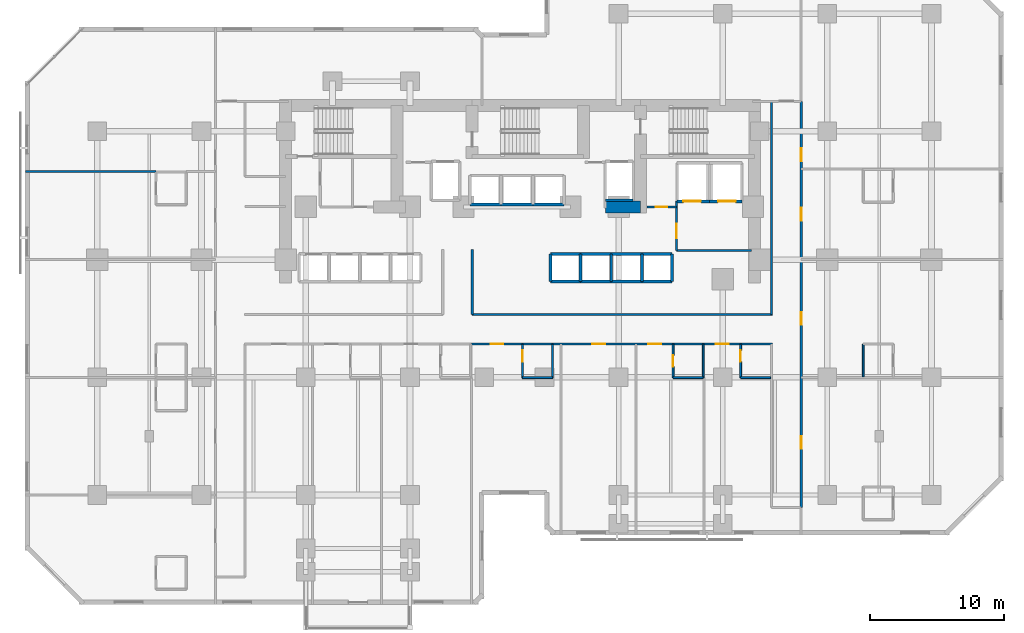
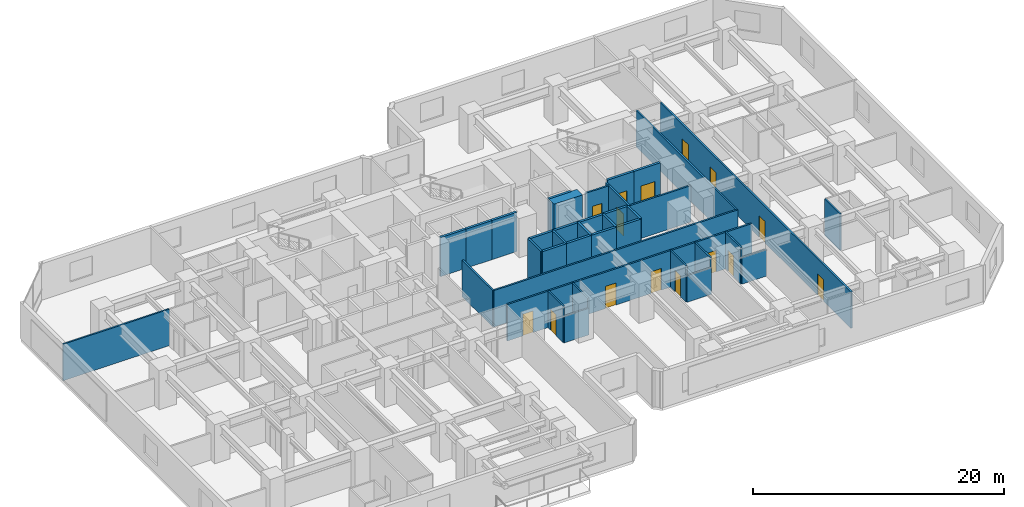
# One storey, part 7 of 12: 38 walls, 15 doors, 15 openings.
"""IFC4 building model written with IfcOpenShell, lengths in metres."""

from ifc_helpers import new_model, si_unit, direction, frame, frame_2d, origin, place, context, subcontext, project, spatial, rectangle, extrude, material, layer, layer_set, type_object, element, fill, save


model = new_model("IFC4")

# Units and contexts
model_context = context("Model", 3, precision=1e-05, world=origin(), true_north=direction((0.0, 1.0)))
body_context = subcontext(model_context, "Body", "Model", "MODEL_VIEW")
ifc_project = project(units=[si_unit("LENGTHUNIT", "METRE"), si_unit("AREAUNIT", "SQUARE_METRE"), si_unit("VOLUMEUNIT", "CUBIC_METRE"), si_unit("PLANEANGLEUNIT", "RADIAN"), si_unit("MASSUNIT", "GRAM", prefix="KILO")], contexts=[model_context])

# Site, building, storey
site_placement = place(None, origin())
site = spatial("IfcSite", under=ifc_project, at=site_placement, CompositionType="ELEMENT")
building_placement = place(site_placement, origin())
building = spatial("IfcBuilding", under=site, at=building_placement, Name="Kestravale Grand Hotel", CompositionType="ELEMENT")
storey_placement = place(building_placement, frame((0.0, 0.0, 33.60009765625)))
storey = spatial("IfcBuildingStorey", under=building, at=storey_placement, Name="L07", CompositionType="ELEMENT", Elevation=33.60009765625)

# Wall
ifc_material_1 = material(Name="Concrete f'c 70 MPa", Category="concrete")
ifc_layer_1 = layer(ifc_material_1, 0.89990234375)
ifc_layer_set_1 = layer_set([ifc_layer_1], Name="EW-CORE-900")
wall_type_1 = type_object("IfcWallType", Name="EW-CORE-900", PredefinedType="SHEAR", material=ifc_layer_set_1)
wall_1_placement = place(storey_placement, frame((45.81005859375, 32.75, 0.0), z_axis=(0.0, 0.0, 1.0), x_axis=(1.0, 0.0, 0.0)))
element("IfcWall", 1, at=wall_1_placement, inside=storey, type_object=wall_type_1, Name="L07 core shear wall S2", PredefinedType="SHEAR", context=body_context, shape_type="SweptSolid", body=[
    extrude(rectangle(XDim=2.639892578125, YDim=0.89990234375, at=frame_2d((1.31982421875, 0.0))), origin(), (0.0, 0.0, 1.0), 3.7998046875),
])

# Wall, opening, door
ifc_material_2 = material(Name="Acoustic fire-rated gypsum board partition", Category="other")
ifc_layer_2 = layer(ifc_material_2, 0.159912109375)
ifc_layer_set_2 = layer_set([ifc_layer_2], Name="IW-CORR-160")
wall_type_2 = type_object("IfcWallType", Name="IW-CORR-160", PredefinedType="PARTITIONING", material=ifc_layer_set_2)
wall_2_placement = place(storey_placement, frame((51.1201171875, 29.5, 0.0), z_axis=(0.0, 0.0, 1.0), x_axis=(0.0, 1.0, 0.0)))
wall_2 = element("IfcWall", 2, at=wall_2_placement, inside=storey, type_object=wall_type_2, Name="W-L07-SVCLOB-W", PredefinedType="PARTITIONING", context=body_context, shape_type="SweptSolid", body=[
    extrude(rectangle(XDim=3.699951171875, YDim=0.159912109375, at=frame_2d((1.85009765625, 0.0))), origin(), (0.0, 0.0, 1.0), 3.539794921875),
])
opening_1_placement = place(wall_2_placement, frame((0.89990234375, 0.0, 0.0)))
opening_1 = element("IfcOpeningElement", 3, at=opening_1_placement, cuts=wall_2, Name="Opening D-CORR-1100", PredefinedType="OPENING", context=body_context, shape_type="SweptSolid", body=[
    extrude(rectangle(XDim=1.10009765625, YDim=2.14990234375, at=frame_2d((0.550048828125, 1.074951171875))), frame((0.0, 0.08984375, 0.0), z_axis=(0.0, -1.0, 0.0), x_axis=(1.0, 0.0, 0.0)), (0.0, 0.0, 1.0), 0.179931640625),
])
ifc_material_3 = material(Name="Single-leaf service vestibule fire door", Category="steel")
door_type_1 = type_object("IfcDoorType", Name="D-CORR-1100", OperationType="NOTDEFINED", PredefinedType="DOOR", material=ifc_material_3)
door_1_placement = place(opening_1_placement, origin())
door_1 = element("IfcDoor", 4, at=door_1_placement, inside=storey, type_object=door_type_1, Name="L07 service lift lobby door", OperationType="SINGLE_SWING_LEFT", OverallHeight=2.14990234375, OverallWidth=1.10009765625, PredefinedType="DOOR", context=body_context, shape_type="SweptSolid", body=[
    extrude(rectangle(XDim=1.10009765625, YDim=2.14990234375, at=frame_2d((0.550048828125, 1.074951171875))), frame((0.0, 0.02490234375, 0.0), z_axis=(0.0, -1.0, 0.0), x_axis=(1.0, 0.0, 0.0)), (0.0, 0.0, 1.0), 0.050048828125),
])
fill(opening_1, door_1)

# Wall
wall_3_placement = place(storey_placement, frame((51.1201171875, 29.5, 0.0), z_axis=(0.0, 0.0, 1.0), x_axis=(1.0, 0.0, 0.0)))
element("IfcWall", 5, at=wall_3_placement, inside=storey, type_object=wall_type_2, Name="L07 service lift lobby wall", PredefinedType="PARTITIONING", context=body_context, shape_type="SweptSolid", body=[
    extrude(rectangle(XDim=5.6298828125, YDim=0.159912109375, at=frame_2d((2.81494140625, 0.0))), origin(), (0.0, 0.0, 1.0), 3.539794921875),
])

# Wall, opening, door
wall_4_placement = place(storey_placement, frame((48.919921875, 32.75, 0.0), z_axis=(0.0, 0.0, 1.0), x_axis=(1.0, 0.0, 0.0)))
wall_4 = element("IfcWall", 6, at=wall_4_placement, inside=storey, type_object=wall_type_2, Name="W-L07-CES", PredefinedType="PARTITIONING", context=body_context, shape_type="SweptSolid", body=[
    extrude(rectangle(XDim=2.2001953125, YDim=0.159912109375, at=frame_2d((1.10009765625, 0.0))), origin(), (0.0, 0.0, 1.0), 3.539794921875),
])
opening_2_placement = place(wall_4_placement, frame((0.64990234375, 0.0, 0.0)))
opening_2 = element("IfcOpeningElement", 7, at=opening_2_placement, cuts=wall_4, Name="Opening D-SH-860", PredefinedType="OPENING", context=body_context, shape_type="SweptSolid", body=[
    extrude(rectangle(XDim=0.860107421875, YDim=2.050048828125, at=frame_2d((0.43017578125, 1.02490234375))), frame((0.0, 0.08984375, 0.0), z_axis=(0.0, -1.0, 0.0), x_axis=(1.0, 0.0, 0.0)), (0.0, 0.0, 1.0), 0.179931640625),
])
ifc_material_4 = material(Name="Galvanised 90-minute riser fire door", Category="steel")
door_type_2 = type_object("IfcDoorType", Name="D-SH-860", OperationType="NOTDEFINED", PredefinedType="DOOR", material=ifc_material_4)
door_2_placement = place(opening_2_placement, origin())
door_2 = element("IfcDoor", 8, at=door_2_placement, inside=storey, type_object=door_type_2, Name="L07 CSTO1 door", OperationType="SINGLE_SWING_RIGHT", OverallHeight=2.050048828125, OverallWidth=0.860107421875, PredefinedType="DOOR", context=body_context, shape_type="SweptSolid", body=[
    extrude(rectangle(XDim=0.860107421875, YDim=2.050048828125, at=frame_2d((0.43017578125, 1.02490234375))), frame((0.0, 0.02490234375, 0.0), z_axis=(0.0, -1.0, 0.0), x_axis=(1.0, 0.0, 0.0)), (0.0, 0.0, 1.0), 0.050048828125),
])
fill(opening_2, door_2)

# Walls
wall_5_placement = place(storey_placement, frame((35.85009765625, 24.7099609375, 0.0), z_axis=(0.0, 0.0, 1.0), x_axis=(1.0, 0.0, 0.0)))
element("IfcWall", 9, at=wall_5_placement, inside=storey, type_object=wall_type_2, Name="W-L07-CE-N", PredefinedType="PARTITIONING", context=body_context, shape_type="SweptSolid", body=[
    extrude(rectangle(XDim=22.449951171875, YDim=0.159912109375, at=frame_2d((11.22509765625, 0.0))), origin(), (0.0, 0.0, 1.0), 3.539794921875),
])
wall_6_placement = place(storey_placement, frame((35.85009765625, 24.7099609375, 0.0), z_axis=(0.0, 0.0, 1.0), x_axis=(0.0, 1.0, 0.0)))
element("IfcWall", 10, at=wall_6_placement, inside=storey, type_object=wall_type_2, Name="W-L07-TRUNK-E", PredefinedType="PARTITIONING", context=body_context, shape_type="SweptSolid", body=[
    extrude(rectangle(XDim=4.840087890625, YDim=0.159912109375, at=frame_2d((2.419921875, 0.0))), origin(), (0.0, 0.0, 1.0), 3.539794921875),
])

# Wall, openings, doors
wall_7_placement = place(storey_placement, frame((35.800048828125, 22.489990234375, 0.0), z_axis=(0.0, 0.0, 1.0), x_axis=(1.0, 0.0, 0.0)))
wall_7 = element("IfcWall", 11, at=wall_7_placement, inside=storey, type_object=wall_type_2, Name="W-L07-CE-S", PredefinedType="PARTITIONING", context=body_context, shape_type="SweptSolid", body=[
    extrude(rectangle(XDim=22.5, YDim=0.159912109375, at=frame_2d((11.25, 0.0))), origin(), (0.0, 0.0, 1.0), 3.539794921875),
])
opening_3_placement = place(wall_7_placement, frame((1.429931640625, 0.0, 0.0)))
opening_3 = element("IfcOpeningElement", 12, at=opening_3_placement, cuts=wall_7, Name="Opening D-GUEST-950", PredefinedType="OPENING", context=body_context, shape_type="SweptSolid", body=[
    extrude(rectangle(XDim=0.949951171875, YDim=2.10009765625, at=frame_2d((0.47509765625, 1.050048828125))), frame((0.0, 0.08984375, 0.0), z_axis=(0.0, -1.0, 0.0), x_axis=(1.0, 0.0, 0.0)), (0.0, 0.0, 1.0), 0.179931640625),
])
opening_4_placement = place(wall_7_placement, frame((9.014892578125, 0.0, 0.0)))
opening_4 = element("IfcOpeningElement", 13, at=opening_4_placement, cuts=wall_7, Name="Opening D-GUEST-1000", PredefinedType="OPENING", context=body_context, shape_type="SweptSolid", body=[
    extrude(rectangle(XDim=1.0, YDim=2.14990234375, at=frame_2d((0.5, 1.074951171875))), frame((0.0, 0.08984375, 0.0), z_axis=(0.0, -1.0, 0.0), x_axis=(1.0, 0.0, 0.0)), (0.0, 0.0, 1.0), 0.179931640625),
])
opening_5_placement = place(wall_7_placement, frame((13.22509765625, 0.0, 0.0)))
opening_5 = element("IfcOpeningElement", 14, at=opening_5_placement, cuts=wall_7, Name="Opening D-GUEST-950", PredefinedType="OPENING", context=body_context, shape_type="SweptSolid", body=[
    extrude(rectangle(XDim=0.949951171875, YDim=2.10009765625, at=frame_2d((0.47509765625, 1.050048828125))), frame((0.0, 0.08984375, 0.0), z_axis=(0.0, -1.0, 0.0), x_axis=(1.0, 0.0, 0.0)), (0.0, 0.0, 1.0), 0.179931640625),
])
opening_6_placement = place(wall_7_placement, frame((18.284912109375, 0.0, 0.0)))
opening_6 = element("IfcOpeningElement", 15, at=opening_6_placement, cuts=wall_7, Name="Opening D-GUEST-950", PredefinedType="OPENING", context=body_context, shape_type="SweptSolid", body=[
    extrude(rectangle(XDim=0.949951171875, YDim=2.10009765625, at=frame_2d((0.47509765625, 1.050048828125))), frame((0.0, 0.08984375, 0.0), z_axis=(0.0, -1.0, 0.0), x_axis=(1.0, 0.0, 0.0)), (0.0, 0.0, 1.0), 0.179931640625),
])
ifc_material_5 = material(Name="Accessible walnut veneer hotel entrance fire door", Category="wood")
door_type_3 = type_object("IfcDoorType", Name="D-GUEST-1000", OperationType="NOTDEFINED", PredefinedType="DOOR", material=ifc_material_5)
door_3_placement = place(opening_4_placement, origin())
door_3 = element("IfcDoor", 16, at=door_3_placement, inside=storey, type_object=door_type_3, Name="D-L07-AME", OperationType="SINGLE_SWING_RIGHT", OverallHeight=2.14990234375, OverallWidth=1.0, PredefinedType="DOOR", context=body_context, shape_type="SweptSolid", body=[
    extrude(rectangle(XDim=1.0, YDim=2.14990234375, at=frame_2d((0.5, 1.074951171875))), frame((0.0, 0.02490234375, 0.0), z_axis=(0.0, -1.0, 0.0), x_axis=(1.0, 0.0, 0.0)), (0.0, 0.0, 1.0), 0.050048828125),
])
fill(opening_4, door_3)
ifc_material_6 = material(Name="Walnut veneer hotel guestroom entrance fire door", Category="wood")
door_type_4 = type_object("IfcDoorType", Name="D-GUEST-950", OperationType="NOTDEFINED", PredefinedType="DOOR", material=ifc_material_6)
door_4_placement = place(opening_3_placement, origin())
door_4 = element("IfcDoor", 17, at=door_4_placement, inside=storey, type_object=door_type_4, Name="D-L07-U03-ENT", OperationType="SINGLE_SWING_LEFT", OverallHeight=2.10009765625, OverallWidth=0.949951171875, PredefinedType="DOOR", context=body_context, shape_type="SweptSolid", body=[
    extrude(rectangle(XDim=0.949951171875, YDim=2.10009765625, at=frame_2d((0.47509765625, 1.050048828125))), frame((0.0, 0.02490234375, 0.0), z_axis=(0.0, -1.0, 0.0), x_axis=(1.0, 0.0, 0.0)), (0.0, 0.0, 1.0), 0.050048828125),
])
fill(opening_3, door_4)
door_5_placement = place(opening_5_placement, origin())
door_5 = element("IfcDoor", 18, at=door_5_placement, inside=storey, type_object=door_type_4, Name="D-L07-U04-ENT", OperationType="SINGLE_SWING_RIGHT", OverallHeight=2.10009765625, OverallWidth=0.949951171875, PredefinedType="DOOR", context=body_context, shape_type="SweptSolid", body=[
    extrude(rectangle(XDim=0.949951171875, YDim=2.10009765625, at=frame_2d((0.47509765625, 1.050048828125))), frame((0.0, 0.02490234375, 0.0), z_axis=(0.0, -1.0, 0.0), x_axis=(1.0, 0.0, 0.0)), (0.0, 0.0, 1.0), 0.050048828125),
])
fill(opening_5, door_5)
door_6_placement = place(opening_6_placement, origin())
door_6 = element("IfcDoor", 19, at=door_6_placement, inside=storey, type_object=door_type_4, Name="D-L07-U05-ENT", OperationType="SINGLE_SWING_RIGHT", OverallHeight=2.10009765625, OverallWidth=0.949951171875, PredefinedType="DOOR", context=body_context, shape_type="SweptSolid", body=[
    extrude(rectangle(XDim=0.949951171875, YDim=2.10009765625, at=frame_2d((0.47509765625, 1.050048828125))), frame((0.0, 0.02490234375, 0.0), z_axis=(0.0, -1.0, 0.0), x_axis=(1.0, 0.0, 0.0)), (0.0, 0.0, 1.0), 0.050048828125),
])
fill(opening_6, door_6)

wall_8_placement = place(storey_placement, frame((60.4599609375, 10.25, 0.0), z_axis=(0.0, 0.0, 1.0), x_axis=(0.0, 1.0, 0.0)))
wall_8 = element("IfcWall", 20, at=wall_8_placement, inside=storey, type_object=wall_type_2, Name="W-L07-SE-E", PredefinedType="PARTITIONING", context=body_context, shape_type="SweptSolid", body=[
    extrude(rectangle(XDim=30.39990234375, YDim=0.159912109375, at=frame_2d((15.199951171875, 0.0))), origin(), (0.0, 0.0, 1.0), 3.539794921875),
])
opening_7_placement = place(wall_8_placement, frame((4.39990234375, 0.0, 0.0)))
opening_7 = element("IfcOpeningElement", 21, at=opening_7_placement, cuts=wall_8, Name="Opening D-GUEST-950", PredefinedType="OPENING", context=body_context, shape_type="SweptSolid", body=[
    extrude(rectangle(XDim=0.949951171875, YDim=2.10009765625, at=frame_2d((0.47509765625, 1.050048828125))), frame((0.0, 0.08984375, 0.0), z_axis=(0.0, -1.0, 0.0), x_axis=(1.0, 0.0, 0.0)), (0.0, 0.0, 1.0), 0.179931640625),
])
opening_8_placement = place(wall_8_placement, frame((13.675048828125, 0.0, 0.0)))
opening_8 = element("IfcOpeningElement", 22, at=opening_8_placement, cuts=wall_8, Name="Opening D-GUEST-950", PredefinedType="OPENING", context=body_context, shape_type="SweptSolid", body=[
    extrude(rectangle(XDim=0.949951171875, YDim=2.10009765625, at=frame_2d((0.47509765625, 1.050048828125))), frame((0.0, 0.08984375, 0.0), z_axis=(0.0, -1.0, 0.0), x_axis=(1.0, 0.0, 0.0)), (0.0, 0.0, 1.0), 0.179931640625),
])
opening_9_placement = place(wall_8_placement, frame((21.47509765625, 0.0, 0.0)))
opening_9 = element("IfcOpeningElement", 23, at=opening_9_placement, cuts=wall_8, Name="Opening D-GUEST-950", PredefinedType="OPENING", context=body_context, shape_type="SweptSolid", body=[
    extrude(rectangle(XDim=0.949951171875, YDim=2.10009765625, at=frame_2d((0.47509765625, 1.050048828125))), frame((0.0, 0.08984375, 0.0), z_axis=(0.0, -1.0, 0.0), x_axis=(1.0, 0.0, 0.0)), (0.0, 0.0, 1.0), 0.179931640625),
])
opening_10_placement = place(wall_8_placement, frame((25.89990234375, 0.0, 0.0)))
opening_10 = element("IfcOpeningElement", 24, at=opening_10_placement, cuts=wall_8, Name="Opening D-GUEST-1000", PredefinedType="OPENING", context=body_context, shape_type="SweptSolid", body=[
    extrude(rectangle(XDim=1.0, YDim=2.14990234375, at=frame_2d((0.5, 1.074951171875))), frame((0.0, 0.08984375, 0.0), z_axis=(0.0, -1.0, 0.0), x_axis=(1.0, 0.0, 0.0)), (0.0, 0.0, 1.0), 0.179931640625),
])
door_7_placement = place(opening_10_placement, origin())
door_7 = element("IfcDoor", 25, at=door_7_placement, inside=storey, type_object=door_type_3, Name="D-L07-AMEW", OperationType="SINGLE_SWING_RIGHT", OverallHeight=2.14990234375, OverallWidth=1.0, PredefinedType="DOOR", context=body_context, shape_type="SweptSolid", body=[
    extrude(rectangle(XDim=1.0, YDim=2.14990234375, at=frame_2d((0.5, 1.074951171875))), frame((0.0, 0.02490234375, 0.0), z_axis=(0.0, -1.0, 0.0), x_axis=(1.0, 0.0, 0.0)), (0.0, 0.0, 1.0), 0.050048828125),
])
fill(opening_10, door_7)
door_8_placement = place(opening_7_placement, origin())
door_8 = element("IfcDoor", 26, at=door_8_placement, inside=storey, type_object=door_type_4, Name="D-L07-U10-ENT", OperationType="SINGLE_SWING_LEFT", OverallHeight=2.10009765625, OverallWidth=0.949951171875, PredefinedType="DOOR", context=body_context, shape_type="SweptSolid", body=[
    extrude(rectangle(XDim=0.949951171875, YDim=2.10009765625, at=frame_2d((0.47509765625, 1.050048828125))), frame((0.0, 0.02490234375, 0.0), z_axis=(0.0, -1.0, 0.0), x_axis=(1.0, 0.0, 0.0)), (0.0, 0.0, 1.0), 0.050048828125),
])
fill(opening_7, door_8)
door_9_placement = place(opening_8_placement, origin())
door_9 = element("IfcDoor", 27, at=door_9_placement, inside=storey, type_object=door_type_4, Name="D-L07-U11-ENT", OperationType="SINGLE_SWING_LEFT", OverallHeight=2.10009765625, OverallWidth=0.949951171875, PredefinedType="DOOR", context=body_context, shape_type="SweptSolid", body=[
    extrude(rectangle(XDim=0.949951171875, YDim=2.10009765625, at=frame_2d((0.47509765625, 1.050048828125))), frame((0.0, 0.02490234375, 0.0), z_axis=(0.0, -1.0, 0.0), x_axis=(1.0, 0.0, 0.0)), (0.0, 0.0, 1.0), 0.050048828125),
])
fill(opening_8, door_9)
door_10_placement = place(opening_9_placement, origin())
door_10 = element("IfcDoor", 28, at=door_10_placement, inside=storey, type_object=door_type_4, Name="D-L07-U12-ENT", OperationType="SINGLE_SWING_LEFT", OverallHeight=2.10009765625, OverallWidth=0.949951171875, PredefinedType="DOOR", context=body_context, shape_type="SweptSolid", body=[
    extrude(rectangle(XDim=0.949951171875, YDim=2.10009765625, at=frame_2d((0.47509765625, 1.050048828125))), frame((0.0, 0.02490234375, 0.0), z_axis=(0.0, -1.0, 0.0), x_axis=(1.0, 0.0, 0.0)), (0.0, 0.0, 1.0), 0.050048828125),
])
fill(opening_9, door_10)

# Wall
wall_9_placement = place(storey_placement, frame((58.239990234375, 24.7099609375, 0.0), z_axis=(0.0, 0.0, 1.0), x_axis=(0.0, 1.0, 0.0)))
element("IfcWall", 29, at=wall_9_placement, inside=storey, type_object=wall_type_2, Name="W-L07-SE-WU", PredefinedType="PARTITIONING", context=body_context, shape_type="SweptSolid", body=[
    extrude(rectangle(XDim=15.93994140625, YDim=0.159912109375, at=frame_2d((7.969970703125, 0.0))), origin(), (0.0, 0.0, 1.0), 3.539794921875),
])

# Wall, opening, door
ifc_material_7 = material(Name="Moisture-resistant tile-backer plumbing chase wall", Category="other")
ifc_layer_3 = layer(ifc_material_7, 0.139892578125)
ifc_layer_set_3 = layer_set([ifc_layer_3], Name="IW-PLB-140")
wall_type_3 = type_object("IfcWallType", Name="IW-PLB-140", PredefinedType="PLUMBINGWALL", material=ifc_layer_set_3)
wall_10_placement = place(storey_placement, frame((39.610107421875, 19.97998046875, 0.0), z_axis=(0.0, 0.0, 1.0), x_axis=(0.0, 1.0, 0.0)))
wall_10 = element("IfcWall", 30, at=wall_10_placement, inside=storey, type_object=wall_type_3, Name="W-L07-U03-BW", PredefinedType="PLUMBINGWALL", context=body_context, shape_type="SweptSolid", body=[
    extrude(rectangle(XDim=2.489990234375, YDim=0.139892578125, at=frame_2d((1.2451171875, 0.0))), origin(), (0.0, 0.0, 1.0), 3.539794921875),
])
opening_11_placement = place(wall_10_placement, frame((1.169921875, 0.0, 0.0)))
opening_11 = element("IfcOpeningElement", 31, at=opening_11_placement, cuts=wall_10, Name="Opening D-BATH-880", PredefinedType="OPENING", context=body_context, shape_type="SweptSolid", body=[
    extrude(rectangle(XDim=0.8798828125, YDim=2.050048828125, at=frame_2d((0.43994140625, 1.02490234375))), frame((0.0, 0.079833984375, 0.0), z_axis=(0.0, -1.0, 0.0), x_axis=(1.0, 0.0, 0.0)), (0.0, 0.0, 1.0), 0.159912109375),
])
ifc_material_8 = material(Name="Moisture-sealed walnut en-suite bathroom door", Category="wood")
door_type_5 = type_object("IfcDoorType", Name="D-BATH-880", OperationType="NOTDEFINED", PredefinedType="DOOR", material=ifc_material_8)
door_11_placement = place(opening_11_placement, origin())
door_11 = element("IfcDoor", 32, at=door_11_placement, inside=storey, type_object=door_type_5, Name="D-L07-U03-BATH", OperationType="SINGLE_SWING_RIGHT", OverallHeight=2.050048828125, OverallWidth=0.8798828125, PredefinedType="DOOR", context=body_context, shape_type="SweptSolid", body=[
    extrude(rectangle(XDim=0.8798828125, YDim=2.050048828125, at=frame_2d((0.43994140625, 1.02490234375))), frame((0.0, 0.02490234375, 0.0), z_axis=(0.0, -1.0, 0.0), x_axis=(1.0, 0.0, 0.0)), (0.0, 0.0, 1.0), 0.050048828125),
])
fill(opening_11, door_11)

# Walls
wall_11_placement = place(storey_placement, frame((41.860107421875, 19.97998046875, 0.0), z_axis=(0.0, 0.0, 1.0), x_axis=(0.0, 1.0, 0.0)))
element("IfcWall", 33, at=wall_11_placement, inside=storey, type_object=wall_type_3, Name="W-L07-U03-BE", PredefinedType="PLUMBINGWALL", context=body_context, shape_type="SweptSolid", body=[
    extrude(rectangle(XDim=2.489990234375, YDim=0.139892578125, at=frame_2d((1.2451171875, 0.0))), origin(), (0.0, 0.0, 1.0), 3.539794921875),
])
wall_12_placement = place(storey_placement, frame((39.610107421875, 19.97998046875, 0.0), z_axis=(0.0, 0.0, 1.0), x_axis=(1.0, 0.0, 0.0)))
element("IfcWall", 34, at=wall_12_placement, inside=storey, type_object=wall_type_3, Name="W-L07-U03-BS", PredefinedType="PLUMBINGWALL", context=body_context, shape_type="SweptSolid", body=[
    extrude(rectangle(XDim=2.25, YDim=0.139892578125, at=frame_2d((1.125, 0.0))), origin(), (0.0, 0.0, 1.0), 2.593017578125),
])

# Wall, opening, door
wall_13_placement = place(storey_placement, frame((50.8798828125, 19.97998046875, 0.0), z_axis=(0.0, 0.0, 1.0), x_axis=(0.0, 1.0, 0.0)))
wall_13 = element("IfcWall", 35, at=wall_13_placement, inside=storey, type_object=wall_type_3, Name="W-L07-U04-BW", PredefinedType="PLUMBINGWALL", context=body_context, shape_type="SweptSolid", body=[
    extrude(rectangle(XDim=2.489990234375, YDim=0.139892578125, at=frame_2d((1.2451171875, 0.0))), origin(), (0.0, 0.0, 1.0), 3.539794921875),
])
opening_12_placement = place(wall_13_placement, frame((0.804931640625, 0.0, 0.0)))
opening_12 = element("IfcOpeningElement", 36, at=opening_12_placement, cuts=wall_13, Name="Opening D-BATH-880", PredefinedType="OPENING", context=body_context, shape_type="SweptSolid", body=[
    extrude(rectangle(XDim=0.8798828125, YDim=2.050048828125, at=frame_2d((0.43994140625, 1.02490234375))), frame((0.0, 0.079833984375, 0.0), z_axis=(0.0, -1.0, 0.0), x_axis=(1.0, 0.0, 0.0)), (0.0, 0.0, 1.0), 0.159912109375),
])
door_12_placement = place(opening_12_placement, origin())
door_12 = element("IfcDoor", 37, at=door_12_placement, inside=storey, type_object=door_type_5, Name="D-L07-U04-BATH", OperationType="SINGLE_SWING_LEFT", OverallHeight=2.050048828125, OverallWidth=0.8798828125, PredefinedType="DOOR", context=body_context, shape_type="SweptSolid", body=[
    extrude(rectangle(XDim=0.8798828125, YDim=2.050048828125, at=frame_2d((0.43994140625, 1.02490234375))), frame((0.0, 0.02490234375, 0.0), z_axis=(0.0, -1.0, 0.0), x_axis=(1.0, 0.0, 0.0)), (0.0, 0.0, 1.0), 0.050048828125),
])
fill(opening_12, door_12)

# Walls
wall_14_placement = place(storey_placement, frame((53.1298828125, 19.97998046875, 0.0), z_axis=(0.0, 0.0, 1.0), x_axis=(0.0, 1.0, 0.0)))
element("IfcWall", 38, at=wall_14_placement, inside=storey, type_object=wall_type_3, Name="W-L07-U04-BE", PredefinedType="PLUMBINGWALL", context=body_context, shape_type="SweptSolid", body=[
    extrude(rectangle(XDim=2.489990234375, YDim=0.139892578125, at=frame_2d((1.2451171875, 0.0))), origin(), (0.0, 0.0, 1.0), 3.539794921875),
])
wall_15_placement = place(storey_placement, frame((50.8798828125, 19.97998046875, 0.0), z_axis=(0.0, 0.0, 1.0), x_axis=(1.0, 0.0, 0.0)))
element("IfcWall", 39, at=wall_15_placement, inside=storey, type_object=wall_type_3, Name="W-L07-U04-BS", PredefinedType="PLUMBINGWALL", context=body_context, shape_type="SweptSolid", body=[
    extrude(rectangle(XDim=2.25, YDim=0.139892578125, at=frame_2d((1.125, 0.0))), origin(), (0.0, 0.0, 1.0), 2.593017578125),
])

# Wall, opening, door
wall_16_placement = place(storey_placement, frame((55.929931640625, 19.97998046875, 0.0), z_axis=(0.0, 0.0, 1.0), x_axis=(0.0, 1.0, 0.0)))
wall_16 = element("IfcWall", 40, at=wall_16_placement, inside=storey, type_object=wall_type_3, Name="W-L07-U05-BW", PredefinedType="PLUMBINGWALL", context=body_context, shape_type="SweptSolid", body=[
    extrude(rectangle(XDim=2.489990234375, YDim=0.139892578125, at=frame_2d((1.2451171875, 0.0))), origin(), (0.0, 0.0, 1.0), 3.539794921875),
])
opening_13_placement = place(wall_16_placement, frame((1.169921875, 0.0, 0.0)))
opening_13 = element("IfcOpeningElement", 41, at=opening_13_placement, cuts=wall_16, Name="Opening D-BATH-880", PredefinedType="OPENING", context=body_context, shape_type="SweptSolid", body=[
    extrude(rectangle(XDim=0.8798828125, YDim=2.050048828125, at=frame_2d((0.43994140625, 1.02490234375))), frame((0.0, 0.079833984375, 0.0), z_axis=(0.0, -1.0, 0.0), x_axis=(1.0, 0.0, 0.0)), (0.0, 0.0, 1.0), 0.159912109375),
])
door_13_placement = place(opening_13_placement, origin())
door_13 = element("IfcDoor", 42, at=door_13_placement, inside=storey, type_object=door_type_5, Name="D-L07-U05-BATH", OperationType="SINGLE_SWING_LEFT", OverallHeight=2.050048828125, OverallWidth=0.8798828125, PredefinedType="DOOR", context=body_context, shape_type="SweptSolid", body=[
    extrude(rectangle(XDim=0.8798828125, YDim=2.050048828125, at=frame_2d((0.43994140625, 1.02490234375))), frame((0.0, 0.02490234375, 0.0), z_axis=(0.0, -1.0, 0.0), x_axis=(1.0, 0.0, 0.0)), (0.0, 0.0, 1.0), 0.050048828125),
])
fill(opening_13, door_13)

# Walls
wall_17_placement = place(storey_placement, frame((55.929931640625, 19.97998046875, 0.0), z_axis=(0.0, 0.0, 1.0), x_axis=(1.0, 0.0, 0.0)))
element("IfcWall", 43, at=wall_17_placement, inside=storey, type_object=wall_type_3, Name="W-L07-U05-BS", PredefinedType="PLUMBINGWALL", context=body_context, shape_type="SweptSolid", body=[
    extrude(rectangle(XDim=2.25, YDim=0.139892578125, at=frame_2d((1.125, 0.0))), origin(), (0.0, 0.0, 1.0), 2.593017578125),
])
wall_18_placement = place(storey_placement, frame((65.10009765625, 20.0400390625, 0.0), z_axis=(0.0, 0.0, 1.0), x_axis=(0.0, 1.0, 0.0)))
element("IfcWall", 44, at=wall_18_placement, inside=storey, type_object=wall_type_3, Name="W-L07-U11-BW", PredefinedType="PLUMBINGWALL", context=body_context, shape_type="SweptSolid", body=[
    extrude(rectangle(XDim=2.449951171875, YDim=0.139892578125, at=frame_2d((1.22509765625, 0.0))), origin(), (0.0, 0.0, 1.0), 3.539794921875),
])
ifc_material_9 = material(Name="Concrete f'c 45 MPa", Category="concrete")
ifc_layer_4 = layer(ifc_material_9, 0.199951171875)
ifc_layer_set_4 = layer_set([ifc_layer_4], Name="IW-SHAFT-200")
wall_type_4 = type_object("IfcWallType", Name="IW-SHAFT-200", PredefinedType="SHEAR", material=ifc_layer_set_4)
for number, where, z_axis, x_axis, name in (
    (45, (41.705078125, 27.169921875, 0.0), (0.0, 0.0, 1.0), (0.0, 1.0, 0.0), "L07 PL-M1 west shaft wall"),
    (46, (43.949951171875, 27.169921875, 0.0), (0.0, 0.0, 1.0), (0.0, 1.0, 0.0), "L07 PL-M2 west shaft wall"),
    (47, (46.25, 27.169921875, 0.0), (0.0, 0.0, 1.0), (0.0, 1.0, 0.0), "L07 PL-M3 west shaft wall"),
    (48, (48.550048828125, 27.169921875, 0.0), (0.0, 0.0, 1.0), (0.0, 1.0, 0.0), "L07 PL-M4 west shaft wall"),
    (49, (50.794921875, 27.169921875, 0.0), (0.0, 0.0, 1.0), (0.0, 1.0, 0.0), "L07 PL-M4 east shaft wall"),
):
    element("IfcWall", number, at=place(storey_placement, frame(where, z_axis=z_axis, x_axis=x_axis)), inside=storey, type_object=wall_type_4, Name=name, PredefinedType="SHEAR", context=body_context, shape_type="SweptSolid", body=[
        extrude(rectangle(XDim=2.06005859375, YDim=0.199951171875, at=frame_2d((1.030029296875, 0.0))), origin(), (0.0, 0.0, 1.0), 3.7998046875),
    ])
ifc_material_10 = material(Name="Concrete f'c 45 MPa", Category="concrete")
ifc_layer_5 = layer(ifc_material_10, 0.219970703125)
ifc_layer_set_5 = layer_set([ifc_layer_5], Name="IW-SHAFT-220")
wall_type_5 = type_object("IfcWallType", Name="IW-SHAFT-220", PredefinedType="SHEAR", material=ifc_layer_set_5)
for number, where, z_axis, x_axis, name in (
    (50, (41.705078125, 29.22998046875, 0.0), (0.0, 0.0, 1.0), (1.0, 0.0, 0.0), "L07 PL-M1 north shaft wall"),
    (51, (41.705078125, 27.169921875, 0.0), (0.0, 0.0, 1.0), (1.0, 0.0, 0.0), "L07 PL-M1 south shaft wall"),
):
    element("IfcWall", number, at=place(storey_placement, frame(where, z_axis=z_axis, x_axis=x_axis)), inside=storey, type_object=wall_type_5, Name=name, PredefinedType="SHEAR", context=body_context, shape_type="SweptSolid", body=[
        extrude(rectangle(XDim=2.244873046875, YDim=0.219970703125, at=frame_2d((1.12255859375, 0.0))), origin(), (0.0, 0.0, 1.0), 3.7998046875),
    ])
for number, where, z_axis, x_axis, name in (
    (52, (43.949951171875, 29.22998046875, 0.0), (0.0, 0.0, 1.0), (1.0, 0.0, 0.0), "L07 PL-M2 north shaft wall"),
    (53, (43.949951171875, 27.169921875, 0.0), (0.0, 0.0, 1.0), (1.0, 0.0, 0.0), "L07 PL-M2 south shaft wall"),
    (54, (46.25, 29.22998046875, 0.0), (0.0, 0.0, 1.0), (1.0, 0.0, 0.0), "L07 PL-M3 north shaft wall"),
    (55, (46.25, 27.169921875, 0.0), (0.0, 0.0, 1.0), (1.0, 0.0, 0.0), "L07 PL-M3 south shaft wall"),
):
    element("IfcWall", number, at=place(storey_placement, frame(where, z_axis=z_axis, x_axis=x_axis)), inside=storey, type_object=wall_type_5, Name=name, PredefinedType="SHEAR", context=body_context, shape_type="SweptSolid", body=[
        extrude(rectangle(XDim=2.300048828125, YDim=0.219970703125, at=frame_2d((1.14990234375, 0.0))), origin(), (0.0, 0.0, 1.0), 3.7998046875),
    ])
for number, where, z_axis, x_axis, name in (
    (56, (48.550048828125, 29.22998046875, 0.0), (0.0, 0.0, 1.0), (1.0, 0.0, 0.0), "L07 PL-M4 north shaft wall"),
    (57, (48.550048828125, 27.169921875, 0.0), (0.0, 0.0, 1.0), (1.0, 0.0, 0.0), "L07 PL-M4 south shaft wall"),
):
    element("IfcWall", number, at=place(storey_placement, frame(where, z_axis=z_axis, x_axis=x_axis)), inside=storey, type_object=wall_type_5, Name=name, PredefinedType="SHEAR", context=body_context, shape_type="SweptSolid", body=[
        extrude(rectangle(XDim=2.244873046875, YDim=0.219970703125, at=frame_2d((1.12255859375, 0.0))), origin(), (0.0, 0.0, 1.0), 3.7998046875),
    ])
wall_19_placement = place(storey_placement, frame((35.679931640625, 32.919921875, 0.0), z_axis=(0.0, 0.0, 1.0), x_axis=(1.0, 0.0, 0.0)))
element("IfcWall", 58, at=wall_19_placement, inside=storey, type_object=wall_type_5, Name="L07 PL-X1 south shaft wall", PredefinedType="SHEAR", context=body_context, shape_type="SweptSolid", body=[
    extrude(rectangle(XDim=2.320068359375, YDim=0.219970703125, at=frame_2d((1.16015625, 0.0))), origin(), (0.0, 0.0, 1.0), 3.7998046875),
])
wall_20_placement = place(storey_placement, frame((38.0, 32.919921875, 0.0), z_axis=(0.0, 0.0, 1.0), x_axis=(1.0, 0.0, 0.0)))
element("IfcWall", 59, at=wall_20_placement, inside=storey, type_object=wall_type_5, Name="L07 PL-X2 south shaft wall", PredefinedType="SHEAR", context=body_context, shape_type="SweptSolid", body=[
    extrude(rectangle(XDim=2.39990234375, YDim=0.219970703125, at=frame_2d((1.199951171875, 0.0))), origin(), (0.0, 0.0, 1.0), 3.7998046875),
])
wall_21_placement = place(storey_placement, frame((40.39990234375, 32.919921875, 0.0), z_axis=(0.0, 0.0, 1.0), x_axis=(1.0, 0.0, 0.0)))
element("IfcWall", 60, at=wall_21_placement, inside=storey, type_object=wall_type_5, Name="L07 PL-X3 south shaft wall", PredefinedType="SHEAR", context=body_context, shape_type="SweptSolid", body=[
    extrude(rectangle(XDim=2.320068359375, YDim=0.219970703125, at=frame_2d((1.16015625, 0.0))), origin(), (0.0, 0.0, 1.0), 3.7998046875),
])

# Wall, opening, door
wall_22_placement = place(storey_placement, frame((51.179931640625, 33.169921875, 0.0), z_axis=(0.0, 0.0, 1.0), x_axis=(1.0, 0.0, 0.0)))
wall_22 = element("IfcWall", 61, at=wall_22_placement, inside=storey, type_object=wall_type_5, Name="L07 SL-1 south shaft wall", PredefinedType="SHEAR", context=body_context, shape_type="SweptSolid", body=[
    extrude(rectangle(XDim=2.420166015625, YDim=0.219970703125, at=frame_2d((1.2099609375, 0.0))), origin(), (0.0, 0.0, 1.0), 3.7998046875),
])
opening_14_placement = place(wall_22_placement, frame((0.469970703125, 0.0, 0.0)))
opening_14 = element("IfcOpeningElement", 62, at=opening_14_placement, cuts=wall_22, Name="Opening LD-SVC-1300", PredefinedType="OPENING", context=body_context, shape_type="SweptSolid", body=[
    extrude(rectangle(XDim=1.300048828125, YDim=2.14990234375, at=frame_2d((0.64990234375, 1.074951171875))), frame((0.0, 0.119873046875, 0.0), z_axis=(0.0, -1.0, 0.0), x_axis=(1.0, 0.0, 0.0)), (0.0, 0.0, 1.0), 0.239990234375),
])
ifc_material_11 = material(Name="Heavy-duty service sliding elevator landing door", Category="steel")
door_type_6 = type_object("IfcDoorType", Name="LD-SVC-1300", OperationType="NOTDEFINED", PredefinedType="DOOR", material=ifc_material_11)
door_14_placement = place(opening_14_placement, origin())
door_14 = element("IfcDoor", 63, at=door_14_placement, inside=storey, type_object=door_type_6, Name="L07 SL-1 elevator landing sliding door", OperationType="DOUBLE_DOOR_SLIDING", OverallHeight=2.14990234375, OverallWidth=1.300048828125, PredefinedType="DOOR", context=body_context, shape_type="SweptSolid", body=[
    extrude(rectangle(XDim=1.300048828125, YDim=2.14990234375, at=frame_2d((0.64990234375, 1.074951171875))), frame((0.0, 0.02490234375, 0.0), z_axis=(0.0, -1.0, 0.0), x_axis=(1.0, 0.0, 0.0)), (0.0, 0.0, 1.0), 0.050048828125),
])
fill(opening_14, door_14)

wall_23_placement = place(storey_placement, frame((53.60009765625, 33.169921875, 0.0), z_axis=(0.0, 0.0, 1.0), x_axis=(1.0, 0.0, 0.0)))
wall_23 = element("IfcWall", 64, at=wall_23_placement, inside=storey, type_object=wall_type_5, Name="L07 SL-2 south shaft wall", PredefinedType="SHEAR", context=body_context, shape_type="SweptSolid", body=[
    extrude(rectangle(XDim=2.419921875, YDim=0.219970703125, at=frame_2d((1.2099609375, 0.0))), origin(), (0.0, 0.0, 1.0), 3.7998046875),
])
opening_15_placement = place(wall_23_placement, frame((0.64990234375, 0.0, 0.0)))
opening_15 = element("IfcOpeningElement", 65, at=opening_15_placement, cuts=wall_23, Name="Opening LD-SVC-1300", PredefinedType="OPENING", context=body_context, shape_type="SweptSolid", body=[
    extrude(rectangle(XDim=1.300048828125, YDim=2.14990234375, at=frame_2d((0.64990234375, 1.074951171875))), frame((0.0, 0.119873046875, 0.0), z_axis=(0.0, -1.0, 0.0), x_axis=(1.0, 0.0, 0.0)), (0.0, 0.0, 1.0), 0.239990234375),
])
door_15_placement = place(opening_15_placement, origin())
door_15 = element("IfcDoor", 66, at=door_15_placement, inside=storey, type_object=door_type_6, Name="L07 SL-2 elevator landing sliding door", OperationType="DOUBLE_DOOR_SLIDING", OverallHeight=2.14990234375, OverallWidth=1.300048828125, PredefinedType="DOOR", context=body_context, shape_type="SweptSolid", body=[
    extrude(rectangle(XDim=1.300048828125, YDim=2.14990234375, at=frame_2d((0.64990234375, 1.074951171875))), frame((0.0, 0.02490234375, 0.0), z_axis=(0.0, -1.0, 0.0), x_axis=(1.0, 0.0, 0.0)), (0.0, 0.0, 1.0), 0.050048828125),
])
fill(opening_15, door_15)

# Walls
wall_24_placement = place(storey_placement, frame((45.804931640625, 33.2451171875, 0.0), z_axis=(0.0, 0.0, 1.0), x_axis=(1.0, 0.0, 0.0)))
element("IfcWall", 67, at=wall_24_placement, inside=storey, type_object=wall_type_5, Name="L07 FL-2 south shaft wall", PredefinedType="SHEAR", context=body_context, shape_type="SweptSolid", body=[
    extrude(rectangle(XDim=2.090087890625, YDim=0.219970703125, at=frame_2d((1.044921875, 0.0))), origin(), (0.0, 0.0, 1.0), 3.7998046875),
])
ifc_material_12 = material(Name="Double-stud STC 52 acoustic demising partition", Category="other")
ifc_layer_6 = layer(ifc_material_12, 0.14990234375)
ifc_layer_set_6 = layer_set([ifc_layer_6], Name="IW-UNIT-150")
wall_type_6 = type_object("IfcWallType", Name="IW-UNIT-150", PredefinedType="PARTITIONING", material=ifc_layer_set_6)
wall_25_placement = place(storey_placement, frame((2.419921875, 35.39990234375, 0.0), z_axis=(0.0, 0.0, 1.0), x_axis=(1.0, 0.0, 0.0)))
element("IfcWall", 68, at=wall_25_placement, inside=storey, type_object=wall_type_6, Name="W-L07-WW-4", PredefinedType="PARTITIONING", context=body_context, shape_type="SweptSolid", body=[
    extrude(rectangle(XDim=9.780029296875, YDim=0.14990234375, at=frame_2d((4.89013671875, 0.0))), origin(), (0.0, 0.0, 1.0), 3.539794921875),
])

save(model, "model.ifc")
